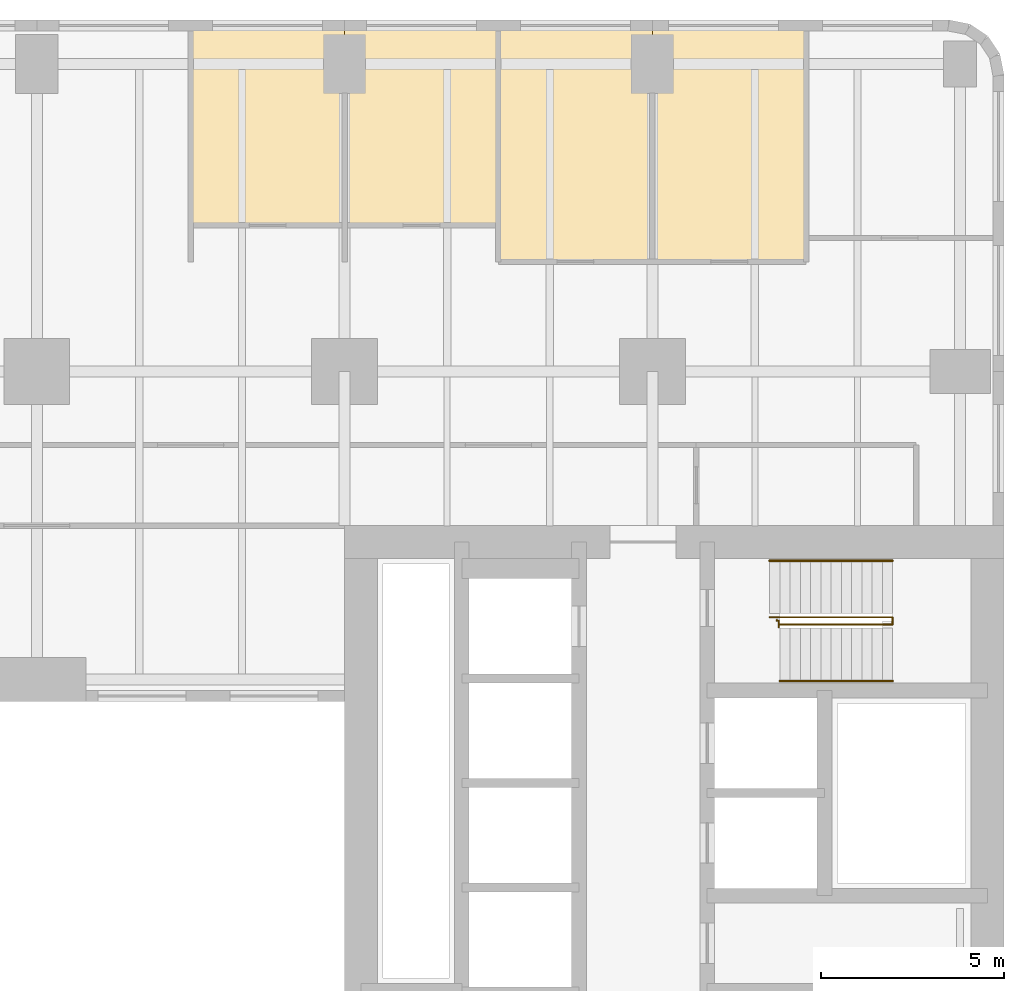
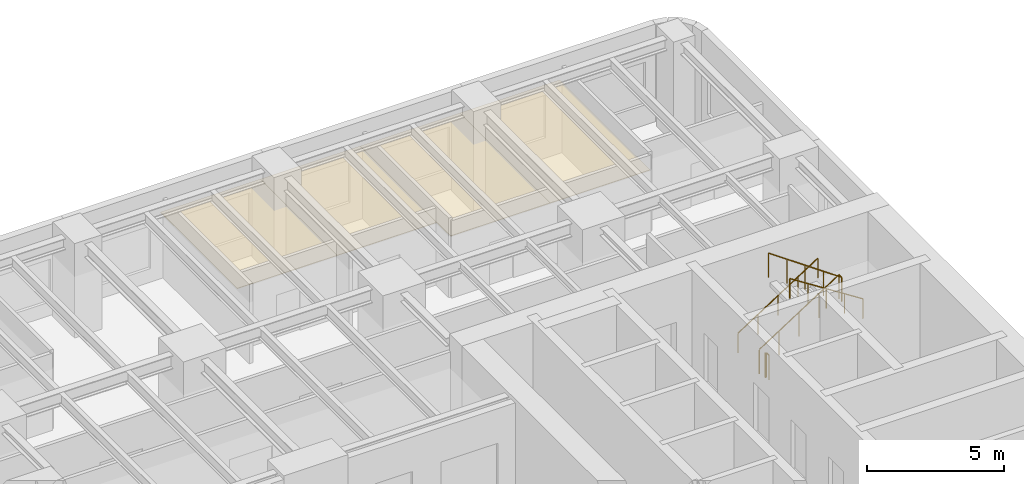
# One storey, part 14 of 14: 4 coverings, 4 railings.
"""IFC4 building model written with IfcOpenShell, lengths in metres."""

from ifc_helpers import new_model, si_unit, direction, frame, origin, origin_2d, place, context, subcontext, project, spatial, polyline, circle, outline, extrude, material, layer, layer_set, type_object, element, save


model = new_model("IFC4")

# Units and contexts
model_context = context("Model", 3, precision=1e-05, world=origin(), true_north=direction((0.0, 1.0)))
body_context = subcontext(model_context, "Body", "Model", "MODEL_VIEW")
ifc_project = project(units=[si_unit("LENGTHUNIT", "METRE"), si_unit("AREAUNIT", "SQUARE_METRE"), si_unit("VOLUMEUNIT", "CUBIC_METRE"), si_unit("PLANEANGLEUNIT", "RADIAN"), si_unit("MASSUNIT", "GRAM", prefix="KILO")], contexts=[model_context])

# Site, building, storey
site_placement = place(None, origin())
site = spatial("IfcSite", under=ifc_project, at=site_placement, CompositionType="ELEMENT")
building_placement = place(site_placement, origin())
building = spatial("IfcBuilding", under=site, at=building_placement, Name="Claustro Exchange Tower", CompositionType="ELEMENT")
storey_placement = place(building_placement, frame((0.0, 0.0, 36.89990234375)))
storey = spatial("IfcBuildingStorey", under=building, at=storey_placement, Name="L08", CompositionType="ELEMENT", Elevation=36.89990234375)

# Coverings
ifc_material_1 = material(Name="Gypsum board ceiling", Category="gypsum board")
ifc_layer = layer(ifc_material_1, 0.02490234375)
ifc_layer_set = layer_set([ifc_layer], Name="Gypsum board ceiling")
covering_type = type_object("IfcCoveringType", Name="CL2 plasterboard ceiling", PredefinedType="CEILING", material=ifc_layer_set)
covering_1_placement = place(storey_placement, frame((0.0, 0.0, 3.0)))
element("IfcCovering", 1, at=covering_1_placement, inside=storey, type_object=covering_type, Name="Ceiling CL2 L08-16", PredefinedType="CEILING", context=body_context, shape_type="SweptSolid", body=[
    extrude(outline(polyline([(42.0, 51.60009765625), (37.800048828125, 51.60009765625), (37.800048828125, 45.0), (42.0, 45.0), (42.0, 51.60009765625)])), origin(), (0.0, 0.0, 1.0), 0.025146484375),
])
covering_2_placement = place(storey_placement, frame((0.0, 0.0, 3.0)))
element("IfcCovering", 2, at=covering_2_placement, inside=storey, type_object=covering_type, Name="Ceiling CL2 L08-17", PredefinedType="CEILING", context=body_context, shape_type="SweptSolid", body=[
    extrude(outline(polyline([(46.199951171875, 51.60009765625), (42.0, 51.60009765625), (42.0, 45.0), (46.199951171875, 45.0), (46.199951171875, 51.60009765625)])), origin(), (0.0, 0.0, 1.0), 0.025146484375),
])
covering_3_placement = place(storey_placement, frame((0.0, 0.0, 3.0)))
element("IfcCovering", 3, at=covering_3_placement, inside=storey, type_object=covering_type, Name="Ceiling CL2 L08-20", PredefinedType="CEILING", context=body_context, shape_type="SweptSolid", body=[
    extrude(outline(polyline([(33.60009765625, 51.60009765625), (29.39990234375, 51.60009765625), (29.39990234375, 46.0), (33.60009765625, 46.0), (33.60009765625, 51.60009765625)])), origin(), (0.0, 0.0, 1.0), 0.025146484375),
])
covering_4_placement = place(storey_placement, frame((0.0, 0.0, 3.0)))
element("IfcCovering", 4, at=covering_4_placement, inside=storey, type_object=covering_type, Name="Ceiling CL2 L08-21", PredefinedType="CEILING", context=body_context, shape_type="SweptSolid", body=[
    extrude(outline(polyline([(37.800048828125, 51.60009765625), (33.60009765625, 51.60009765625), (33.60009765625, 46.0), (37.800048828125, 46.0), (37.800048828125, 51.60009765625)])), origin(), (0.0, 0.0, 1.0), 0.025146484375),
])

# Railings
ifc_material_2 = material(Name="Steel balustrade, painted", Category="steel")
railing_type_1 = type_object("IfcRailingType", Name="GR2 1100 steel stair guard", PredefinedType="GUARDRAIL", material=ifc_material_2)
railing_1_placement = place(storey_placement, frame((45.199951171875, 35.300048828125, 0.18017578125)))
element("IfcRailing", 5, at=railing_1_placement, inside=storey, type_object=railing_type_1, Name="Stair well guard GR2 stair STEB L08", PredefinedType="GUARDRAIL", context=body_context, shape_type="SweptSolid", body=[
    extrude(circle(Radius=0.02392578125, at=origin_2d()), frame((0.0, 0.0, 1.076171875), z_axis=(0.84119634759, 0.0, 0.540729789082), x_axis=(0.0, 1.0, 0.0)), (0.0, 0.0, 1.0), 3.994384765625),
    extrude(circle(Radius=0.02392578125, at=origin_2d()), frame((3.360107421875, 0.0, 3.23583984375), z_axis=(0.0, -1.0, 0.0), x_axis=(1.0, 0.0, 0.0)), (0.0, 0.0, 1.0), 0.199951171875),
    extrude(circle(Radius=0.02392578125, at=origin_2d()), frame((3.360107421875, -0.199951171875, 3.23583984375), z_axis=(-0.8187499073, 0.0, 0.574150319426), x_axis=(0.0, -1.0, 0.0)), (0.0, 0.0, 1.0), 3.761962890625),
    extrude(circle(Radius=0.02099609375, at=origin_2d()), origin(), (0.0, 0.0, 1.0), 1.052001953125),
    extrude(circle(Radius=0.02099609375, at=origin_2d()), frame((0.840087890625, 0.0, 0.5400390625)), (0.0, 0.0, 1.0), 1.052001953125),
    extrude(circle(Radius=0.02099609375, at=origin_2d()), frame((1.68017578125, 0.0, 1.080078125)), (0.0, 0.0, 1.0), 1.052001953125),
    extrude(circle(Radius=0.02099609375, at=origin_2d()), frame((2.52001953125, 0.0, 1.619873046875)), (0.0, 0.0, 1.0), 1.052001953125),
    extrude(circle(Radius=0.02099609375, at=origin_2d()), frame((3.360107421875, 0.0, 2.159912109375)), (0.0, 0.0, 1.0), 1.052001953125),
    extrude(circle(Radius=0.02099609375, at=origin_2d()), frame((3.360107421875, -0.199951171875, 2.159912109375)), (0.0, 0.0, 1.0), 1.052001953125),
    extrude(circle(Radius=0.02099609375, at=origin_2d()), frame((2.590087890625, -0.199951171875, 2.699951171875)), (0.0, 0.0, 1.0), 1.052001953125),
    extrude(circle(Radius=0.02099609375, at=origin_2d()), frame((1.820068359375, -0.199951171875, 3.23974609375)), (0.0, 0.0, 1.0), 1.052001953125),
    extrude(circle(Radius=0.02099609375, at=origin_2d()), frame((1.050048828125, -0.199951171875, 3.77978515625)), (0.0, 0.0, 1.0), 1.052001953125),
    extrude(circle(Radius=0.02099609375, at=origin_2d()), frame((0.280029296875, -0.199951171875, 4.31982421875)), (0.0, 0.0, 1.0), 1.052001953125),
])
railing_2_placement = place(storey_placement, frame((45.39990234375, 35.22998046875, 0.0)))
element("IfcRailing", 6, at=railing_2_placement, inside=storey, type_object=railing_type_1, Name="Stair guard GR2 STEB L08", PredefinedType="GUARDRAIL", context=body_context, shape_type="SweptSolid", body=[
    extrude(circle(Radius=0.02392578125, at=origin_2d()), frame((0.0, 0.0, 1.076171875), z_axis=(0.0, -1.0, 0.0), x_axis=(1.0, 0.0, 0.0)), (0.0, 0.0, 1.0), 0.030029296875),
    extrude(circle(Radius=0.02392578125, at=origin_2d()), frame((0.0, -0.030029296875, 1.076171875), z_axis=(1.0, 0.0, 0.0), x_axis=(0.0, 1.0, 0.0)), (0.0, 0.0, 1.0), 0.05517578125),
    extrude(circle(Radius=0.02392578125, at=origin_2d()), frame((0.05517578125, -0.030029296875, 1.076171875), z_axis=(0.0, -1.0, 0.0), x_axis=(1.0, 0.0, 0.0)), (0.0, 0.0, 1.0), 0.179931640625),
    extrude(circle(Radius=0.02099609375, at=origin_2d()), origin(), (0.0, 0.0, 1.0), 1.052001953125),
    extrude(circle(Radius=0.02099609375, at=origin_2d()), frame((0.0, -0.030029296875, 0.0)), (0.0, 0.0, 1.0), 1.052001953125),
    extrude(circle(Radius=0.02099609375, at=origin_2d()), frame((0.05517578125, -0.030029296875, 0.0)), (0.0, 0.0, 1.0), 1.052001953125),
    extrude(circle(Radius=0.02099609375, at=origin_2d()), frame((0.05517578125, -0.2099609375, 0.0)), (0.0, 0.0, 1.0), 1.052001953125),
])
ifc_material_3 = material(Name="Stainless steel tube", Category="steel")
railing_type_2 = type_object("IfcRailingType", Name="HR1 900 stair handrail", PredefinedType="HANDRAIL", material=ifc_material_3)
railing_3_placement = place(storey_placement, frame((45.199951171875, 36.840087890625, 0.18017578125)))
element("IfcRailing", 7, at=railing_3_placement, inside=storey, type_object=railing_type_2, Name="Handrail HR1 stair STEB L08", PredefinedType="HANDRAIL", context=body_context, shape_type="SweptSolid", body=[
    extrude(circle(Radius=0.02392578125, at=origin_2d()), frame((0.0, 0.0, 0.8759765625), z_axis=(0.84119634759, 0.0, 0.540729789082), x_axis=(0.0, 1.0, 0.0)), (0.0, 0.0, 1.0), 3.994384765625),
    extrude(circle(Radius=0.02099609375, at=origin_2d()), origin(), (0.0, 0.0, 1.0), 0.851806640625),
    extrude(circle(Radius=0.02099609375, at=origin_2d()), frame((0.840087890625, 0.0, 0.5400390625)), (0.0, 0.0, 1.0), 0.851806640625),
    extrude(circle(Radius=0.02099609375, at=origin_2d()), frame((1.68017578125, 0.0, 1.080078125)), (0.0, 0.0, 1.0), 0.851806640625),
    extrude(circle(Radius=0.02099609375, at=origin_2d()), frame((2.52001953125, 0.0, 1.619873046875)), (0.0, 0.0, 1.0), 0.851806640625),
    extrude(circle(Radius=0.02099609375, at=origin_2d()), frame((3.360107421875, 0.0, 2.159912109375)), (0.0, 0.0, 1.0), 0.851806640625),
])
railing_4_placement = place(storey_placement, frame((48.56005859375, 33.56005859375, 2.52001953125)))
element("IfcRailing", 8, at=railing_4_placement, inside=storey, type_object=railing_type_2, Name="Handrail HR1 stair STEB L08", PredefinedType="HANDRAIL", context=body_context, shape_type="SweptSolid", body=[
    extrude(circle(Radius=0.02392578125, at=origin_2d()), frame((0.0, 0.0, 0.8759765625), z_axis=(-0.84118714077, 0.0, 0.540744111576), x_axis=(0.0, -1.0, 0.0)), (0.0, 0.0, 1.0), 3.66162109375),
    extrude(circle(Radius=0.02099609375, at=origin_2d()), origin(), (0.0, 0.0, 1.0), 0.851806640625),
    extrude(circle(Radius=0.02099609375, at=origin_2d()), frame((-0.77001953125, 0.0, 0.4951171875)), (0.0, 0.0, 1.0), 0.851806640625),
    extrude(circle(Radius=0.02099609375, at=origin_2d()), frame((-1.5400390625, 0.0, 0.989990234375)), (0.0, 0.0, 1.0), 0.851806640625),
    extrude(circle(Radius=0.02099609375, at=origin_2d()), frame((-2.31005859375, 0.0, 1.48486328125)), (0.0, 0.0, 1.0), 0.851806640625),
    extrude(circle(Radius=0.02099609375, at=origin_2d()), frame((-3.080078125, 0.0, 1.97998046875)), (0.0, 0.0, 1.0), 0.851806640625),
])

save(model, "model.ifc")
